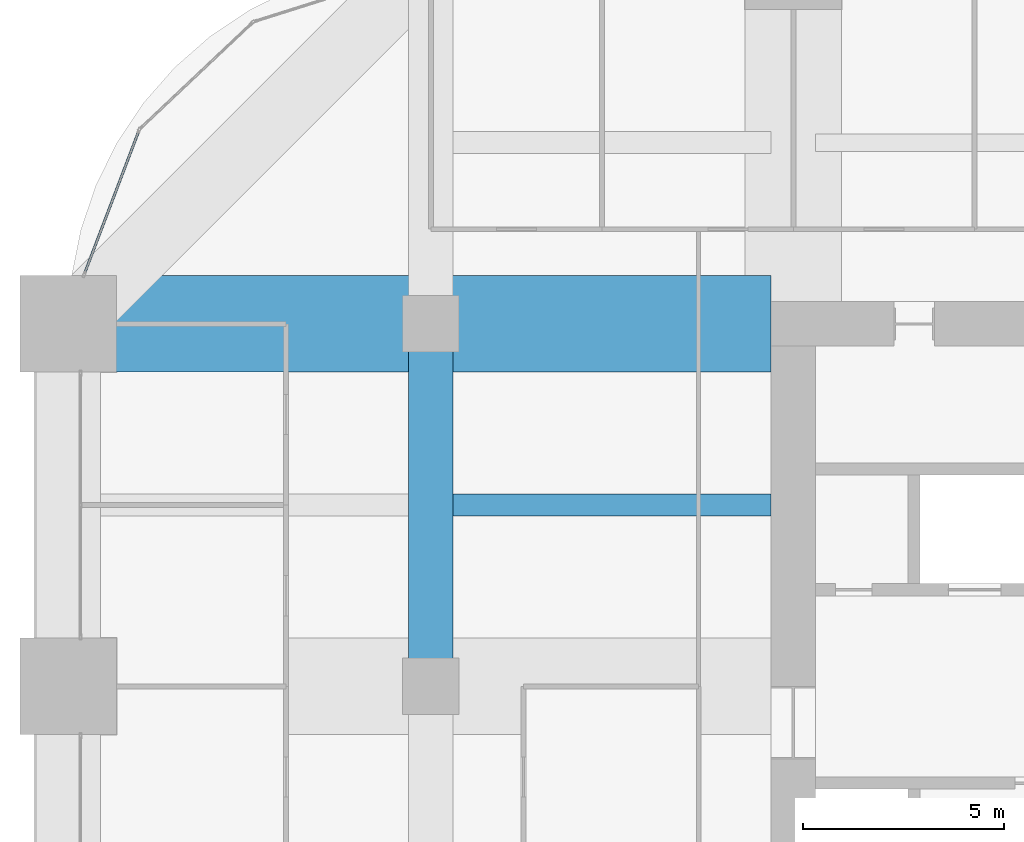
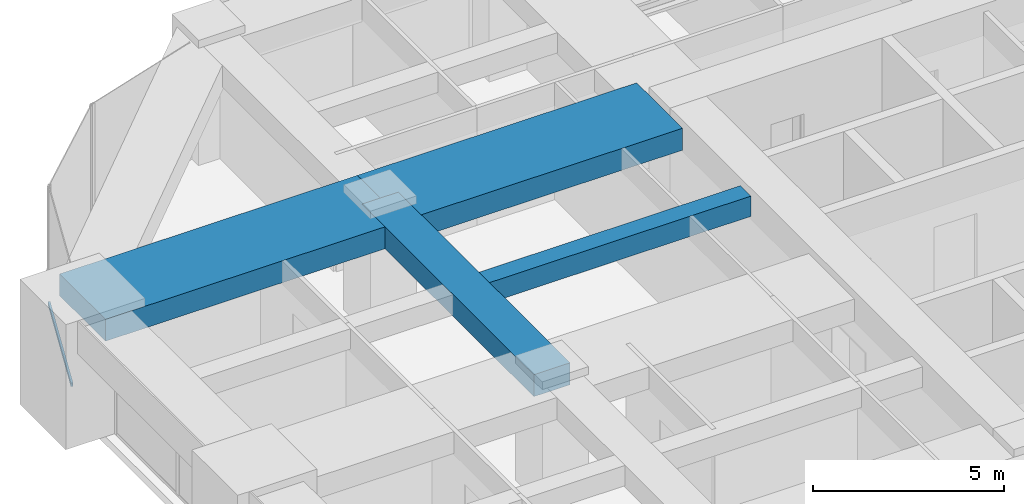
# One storey, part 20 of 35: 4 beams, 1 member, 1 element without a shape of its own.
"""IFC4 building model written with IfcOpenShell, lengths in metres."""

from ifc_helpers import new_model, si_unit, direction, frame, origin, origin_2d, place, context, subcontext, project, spatial, rectangle, hollow_rectangle, extrude, material, material_profile, profile_set, type_object, element, aggregate, save


model = new_model("IFC4")

# Units and contexts
model_context = context("Model", 3, precision=1e-05, world=origin(), true_north=direction((0.0, 1.0)))
body_context = subcontext(model_context, "Body", "Model", "MODEL_VIEW")
ifc_project = project(units=[si_unit("LENGTHUNIT", "METRE"), si_unit("AREAUNIT", "SQUARE_METRE"), si_unit("VOLUMEUNIT", "CUBIC_METRE"), si_unit("PLANEANGLEUNIT", "RADIAN"), si_unit("MASSUNIT", "GRAM", prefix="KILO")], contexts=[model_context])

# Site, building, storey
site_placement = place(None, origin())
site = spatial("IfcSite", under=ifc_project, at=site_placement, CompositionType="ELEMENT")
building_placement = place(site_placement, origin())
building = spatial("IfcBuilding", under=site, at=building_placement, Name="Zorevar Civic Tower", CompositionType="ELEMENT")
storey_placement = place(building_placement, frame((0.0, 0.0, 218.199951171875)))
storey = spatial("IfcBuildingStorey", under=building, at=storey_placement, Name="L53", CompositionType="ELEMENT", Elevation=218.199951171875)

# Beams
ifc_material_1 = material(Name="Concrete C50/60", Category="concrete")
ifc_material_profile_1 = material_profile(ifc_material_1, rectangle(XDim=1.10009765625, YDim=0.699951171875, at=origin_2d()), Name="RC 1100x700")
ifc_profile_set_1 = profile_set([ifc_material_profile_1], Name="Concrete C50/60")
beam_type_1 = type_object("IfcBeamType", Name="Beam RC 1100x700", PredefinedType="BEAM", material=ifc_profile_set_1)
beam_1_placement = place(storey_placement, frame((9.0, 27.0, 3.400146484375), z_axis=(0.0, 1.0, 0.0), x_axis=(-1.0, 0.0, 0.0)))
element("IfcBeam", 1, at=beam_1_placement, inside=storey, type_object=beam_type_1, Name="Girder L54", PredefinedType="BEAM", context=body_context, shape_type="SweptSolid", body=[
    extrude(rectangle(XDim=1.10009765625, YDim=0.699951171875, at=origin_2d()), origin(), (0.0, 0.0, 1.0), 9.0),
])
ifc_material_2 = material(Name="Concrete C50/60", Category="concrete")
ifc_material_profile_2 = material_profile(ifc_material_2, rectangle(XDim=2.39990234375, YDim=0.699951171875, at=origin_2d()), Name="RC 2400x700")
ifc_profile_set_2 = profile_set([ifc_material_profile_2], Name="Concrete C50/60")
beam_type_2 = type_object("IfcBeamType", Name="Beam RC 2400x700", PredefinedType="BEAM", material=ifc_profile_set_2)
beam_2_placement = place(storey_placement, frame((0.0, 36.0, 3.400146484375), z_axis=(1.0, 0.0, 0.0), x_axis=(0.0, 1.0, 0.0)))
element("IfcBeam", 2, at=beam_2_placement, inside=storey, type_object=beam_type_2, Name="Girder L54", PredefinedType="BEAM", context=body_context, shape_type="SweptSolid", body=[
    extrude(rectangle(XDim=2.39990234375, YDim=0.699951171875, at=origin_2d()), origin(), (0.0, 0.0, 1.0), 9.0),
])
beam_3_placement = place(storey_placement, frame((9.0, 36.0, 3.400146484375), z_axis=(1.0, 0.0, 0.0), x_axis=(0.0, 1.0, 0.0)))
element("IfcBeam", 3, at=beam_3_placement, inside=storey, type_object=beam_type_2, Name="Girder L54", PredefinedType="BEAM", context=body_context, shape_type="SweptSolid", body=[
    extrude(rectangle(XDim=2.39990234375, YDim=0.699951171875, at=origin_2d()), origin(), (0.0, 0.0, 1.0), 8.449951171875),
])
ifc_material_3 = material(Name="Concrete C50/60", Category="concrete")
ifc_material_profile_3 = material_profile(ifc_material_3, rectangle(XDim=0.550048828125, YDim=0.64990234375, at=origin_2d()), Name="RC 550x650")
ifc_profile_set_3 = profile_set([ifc_material_profile_3], Name="Concrete C50/60")
beam_type_3 = type_object("IfcBeamType", Name="Beam RC 550x650", PredefinedType="BEAM", material=ifc_profile_set_3)
beam_4_placement = place(storey_placement, frame((9.550048828125, 31.5, 3.425048828125), z_axis=(1.0, 0.0, 0.0), x_axis=(0.0, 1.0, 0.0)))
element("IfcBeam", 4, at=beam_4_placement, inside=storey, type_object=beam_type_3, Name="Secondary beam L54", PredefinedType="BEAM", context=body_context, shape_type="SweptSolid", body=[
    extrude(rectangle(XDim=0.550048828125, YDim=0.64990234375, at=origin_2d()), origin(), (0.0, 0.0, 1.0), 7.89990234375),
])

# Curtain wall, member
ifc_material_4 = material(Name="Dark grey solar-control glass in black aluminium frame", Category="aluminium")
curtain_wall_type = type_object("IfcCurtainWallType", Name="Curtain wall CW4 high zone", PredefinedType="NOTDEFINED", material=ifc_material_4)
curtain_wall_placement = place(storey_placement, origin())
curtain_wall = element("IfcCurtainWall", 5, at=curtain_wall_placement, inside=storey, type_object=curtain_wall_type, Name="CW4 L53", PredefinedType="NOTDEFINED")
ifc_material_5 = material(Name="Aluminium, black anodised", Category="aluminium")
ifc_material_profile_4 = material_profile(ifc_material_5, hollow_rectangle(XDim=0.06005859375, YDim=0.1201171875, WallThickness=0.0029296875, at=origin_2d()), Name="AL 120x60x3")
ifc_profile_set_4 = profile_set([ifc_material_profile_4], Name="Aluminium, black anodised")
member_type = type_object("IfcMemberType", Name="CW4 transom AL 120x60x3", PredefinedType="USERDEFINED", material=ifc_profile_set_4)
member_placement = place(storey_placement, frame((1.74462890625, 40.77685546875, 0.030029296875), z_axis=(-0.355728511406, -0.934589335576, 0.0), x_axis=(0.934589335576, -0.355728511406, 0.0)))
member = element("IfcMember", 6, at=member_placement, type_object=member_type, Name="CW4 sill transom", ObjectType="TRANSOM", PredefinedType="USERDEFINED", context=body_context, shape_type="SweptSolid", body=[
    extrude(hollow_rectangle(XDim=0.06005859375, YDim=0.1201171875, WallThickness=0.0029296875, at=origin_2d()), origin(), (0.0, 0.0, 1.0), 3.76708984375),
])
aggregate(curtain_wall, [member])

save(model, "model.ifc")
